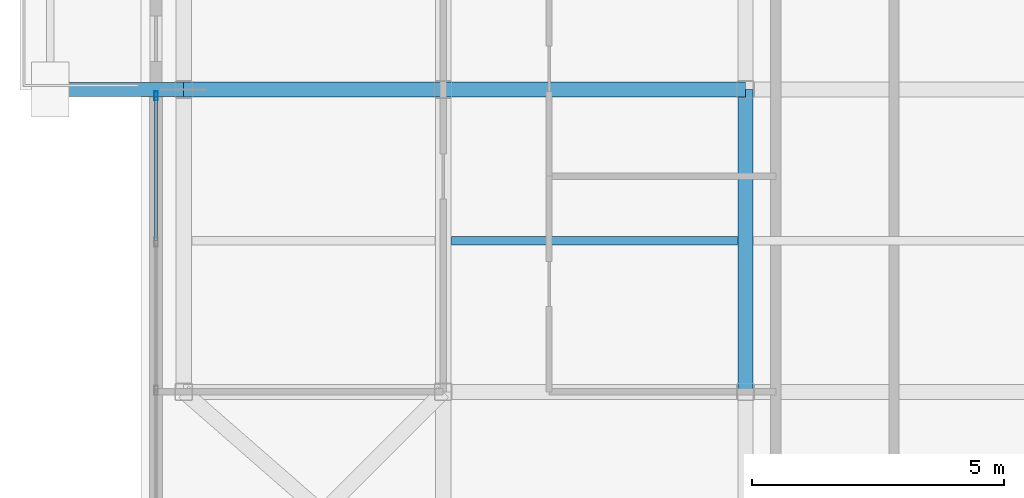
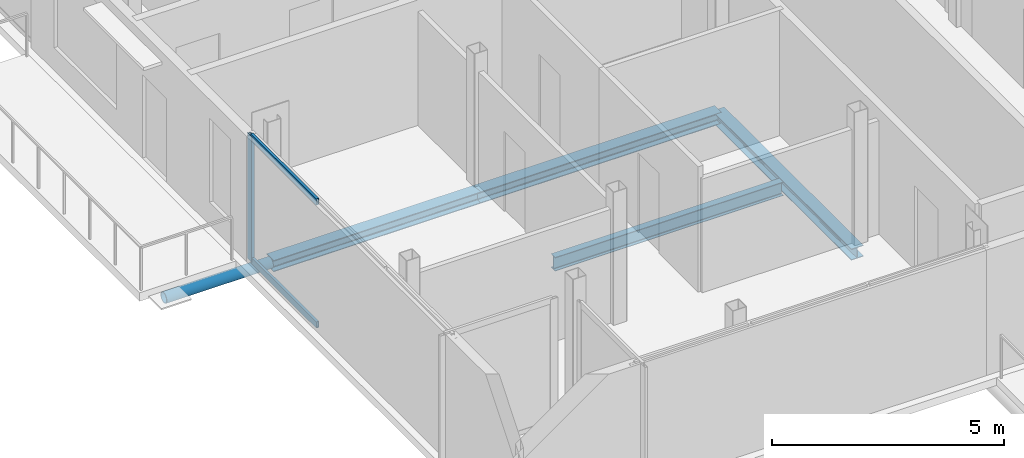
# One storey, part 3 of 19: 4 beams, 4 members, 1 element without a shape of its own.
"""IFC4 building model written with IfcOpenShell, lengths in metres."""

from ifc_helpers import new_model, si_unit, direction, frame, origin, origin_2d, place, context, subcontext, project, spatial, hollow_rectangle, hollow_circle, i_section, extrude, material, layer, layer_set, material_profile, profile_set, type_object, element, aggregate, save


model = new_model("IFC4")

# Units and contexts
model_context = context("Model", 3, precision=1e-05, world=origin(), true_north=direction((0.0, 1.0)))
body_context = subcontext(model_context, "Body", "Model", "MODEL_VIEW")
ifc_project = project(units=[si_unit("LENGTHUNIT", "METRE"), si_unit("AREAUNIT", "SQUARE_METRE"), si_unit("VOLUMEUNIT", "CUBIC_METRE"), si_unit("PLANEANGLEUNIT", "RADIAN"), si_unit("MASSUNIT", "GRAM", prefix="KILO"), si_unit("THERMODYNAMICTEMPERATUREUNIT", "KELVIN"), si_unit("POWERUNIT", "WATT")], contexts=[model_context])

# Site, building, storey
site_placement = place(None, origin())
site = spatial("IfcSite", under=ifc_project, at=site_placement, CompositionType="ELEMENT")
building_placement = place(site_placement, origin())
building = spatial("IfcBuilding", under=site, at=building_placement, Name="Svarakhadi Broadcast Tower", CompositionType="ELEMENT")
storey_placement = place(building_placement, frame((0.0, 0.0, 239.699951171875)))
storey = spatial("IfcBuildingStorey", under=building, at=storey_placement, Name="L59", CompositionType="ELEMENT", Elevation=239.699951171875)

# Beam
ifc_material_1 = material(Name="Steel S355J2 (IS 2062 E350C)", Category="steel")
ifc_material_profile_1 = material_profile(ifc_material_1, i_section(OverallWidth=0.169921875, OverallDepth=0.360107421875, WebThickness=0.008056640625, FlangeThickness=0.0126953125, FilletRadius=0.01806640625, at=origin_2d()), Name="NPB 360x170x57")
ifc_profile_set_1 = profile_set([ifc_material_profile_1], Name="Steel S355J2 (IS 2062 E350C)")
beam_type_1 = type_object("IfcBeamType", Name="Beam_NPB360", PredefinedType="BEAM", material=ifc_profile_set_1)
beam_1_placement = place(storey_placement, frame((6.159912109375, 9.0, -0.3798828125), z_axis=(1.0, 0.0, 0.0), x_axis=(0.0, 1.0, 0.0)))
element("IfcBeam", 1, at=beam_1_placement, inside=storey, type_object=beam_type_1, Name="L59 Secondary Composite Beam SB006", PredefinedType="BEAM", context=body_context, shape_type="SweptSolid", body=[
    extrude(i_section(OverallWidth=0.169921875, OverallDepth=0.360107421875, WebThickness=0.008056640625, FlangeThickness=0.0126953125, FilletRadius=0.01806640625, at=origin_2d()), origin(), (0.0, 0.0, 1.0), 5.68017578125),
])

# Curtain wall, members
ifc_material_2 = material(Name="Anodised Bronze Aluminium AA 6063-T6", Category="aluminium")
ifc_layer = layer(ifc_material_2, 0.179931640625)
ifc_layer_set = layer_set([ifc_layer], Name="Anodised Bronze Aluminium AA 6063-T6")
curtain_wall_type = type_object("IfcCurtainWallType", Name="CW_Sys_05", PredefinedType="NOTDEFINED", material=ifc_layer_set)
curtain_wall_placement = place(storey_placement, origin())
curtain_wall = element("IfcCurtainWall", 2, at=curtain_wall_placement, inside=storey, type_object=curtain_wall_type, Name="L59 West Curtain Wall 02", PredefinedType="NOTDEFINED")
ifc_material_profile_2 = material_profile(ifc_material_2, hollow_rectangle(XDim=0.070068359375, YDim=0.179931640625, WallThickness=0.005615234375, at=origin_2d()), Name="ALU MULLION 180x70x6")
ifc_profile_set_2 = profile_set([ifc_material_profile_2], Name="Anodised Bronze Aluminium AA 6063-T6")
member_type_1 = type_object("IfcMemberType", Name="CW_Sys_05_Mul", PredefinedType="MULLION", material=ifc_profile_set_2)
member_1_placement = place(storey_placement, frame((0.300048828125, 11.875, 0.0), z_axis=(0.0, 0.0, 1.0), x_axis=(-1.0, 0.0, 0.0)))
member_1 = element("IfcMember", 3, at=member_1_placement, type_object=member_type_1, Name="CW-05 mullion 4", PredefinedType="MULLION", context=body_context, shape_type="SweptSolid", body=[
    extrude(hollow_rectangle(XDim=0.070068359375, YDim=0.179931640625, WallThickness=0.005615234375, at=origin_2d()), origin(), (0.0, 0.0, 1.0), 3.300048828125),
])
ifc_material_profile_3 = material_profile(ifc_material_2, hollow_rectangle(XDim=0.06494140625, YDim=0.1650390625, WallThickness=0.0048828125, at=origin_2d()), Name="ALU TRANSOM 165x65x5")
ifc_profile_set_3 = profile_set([ifc_material_profile_3], Name="Anodised Bronze Aluminium AA 6063-T6")
member_type_2 = type_object("IfcMemberType", Name="CW_Sys_05_Trn", PredefinedType="USERDEFINED", material=ifc_profile_set_3)
member_2_placement = place(storey_placement, frame((0.300048828125, 9.0048828125, 0.032470703125), z_axis=(0.0, 1.0, 0.0), x_axis=(-1.0, 0.0, 0.0)))
member_2 = element("IfcMember", 4, at=member_2_placement, type_object=member_type_2, Name="CW-05 transom 3.1", ObjectType="TRANSOM", PredefinedType="USERDEFINED", context=body_context, shape_type="SweptSolid", body=[
    extrude(hollow_rectangle(XDim=0.06494140625, YDim=0.1650390625, WallThickness=0.0048828125, at=origin_2d()), origin(), (0.0, 0.0, 1.0), 2.835205078125),
])
member_3_placement = place(storey_placement, frame((0.300048828125, 9.0048828125, 3.267578125), z_axis=(0.0, 1.0, 0.0), x_axis=(-1.0, 0.0, 0.0)))
member_3 = element("IfcMember", 5, at=member_3_placement, type_object=member_type_2, Name="CW-05 transom 3.2", ObjectType="TRANSOM", PredefinedType="USERDEFINED", context=body_context, shape_type="SweptSolid", body=[
    extrude(hollow_rectangle(XDim=0.06494140625, YDim=0.1650390625, WallThickness=0.0048828125, at=origin_2d()), origin(), (0.0, 0.0, 1.0), 2.835205078125),
])
aggregate(curtain_wall, [member_1, member_2, member_3])

# Member
ifc_material_3 = material(Name="Steel S460ML (IS 2062 E450BR)", Category="steel")
ifc_material_profile_4 = material_profile(ifc_material_3, hollow_circle(Radius=0.136474609375, WallThickness=0.012451171875, at=origin_2d()), Name="CHS 273x12.5")
ifc_profile_set_4 = profile_set([ifc_material_profile_4], Name="Steel S460ML (IS 2062 E450BR)")
member_type_3 = type_object("IfcMemberType", Name="Exo_Radial_Strut_Z3", PredefinedType="STRUT", material=ifc_profile_set_4)
member_4_placement = place(storey_placement, frame((-1.800048828125, 12.0, -0.33642578125), z_axis=(1.0, 0.0, 0.0), x_axis=(0.0, 1.0, 0.0)))
element("IfcMember", 6, at=member_4_placement, inside=storey, type_object=member_type_3, Name="L59 Exoskeleton Radial Tie Strut W03", PredefinedType="STRUT", context=body_context, shape_type="SweptSolid", body=[
    extrude(hollow_circle(Radius=0.136474609375, WallThickness=0.012451171875, at=origin_2d()), origin(), (0.0, 0.0, 1.0), 2.650146484375),
])

# Beams
ifc_material_profile_5 = material_profile(ifc_material_1, i_section(OverallWidth=0.300048828125, OverallDepth=0.300048828125, WebThickness=0.010986328125, FlangeThickness=0.01904296875, FilletRadius=0.027099609375, at=origin_2d()), Name="WPB 300x300x117")
ifc_profile_set_5 = profile_set([ifc_material_profile_5], Name="Steel S355J2 (IS 2062 E350C)")
beam_type_2 = type_object("IfcBeamType", Name="Girder_WPB300", PredefinedType="USERDEFINED", material=ifc_profile_set_5)
beam_2_placement = place(storey_placement, frame((0.85009765625, 12.0, -0.349853515625), z_axis=(1.0, 0.0, 0.0), x_axis=(0.0, 1.0, 0.0)))
element("IfcBeam", 7, at=beam_2_placement, inside=storey, type_object=beam_type_2, Name="L59 Primary E-W Girder G014", ObjectType="GIRDER", PredefinedType="USERDEFINED", context=body_context, shape_type="SweptSolid", body=[
    extrude(i_section(OverallWidth=0.300048828125, OverallDepth=0.300048828125, WebThickness=0.010986328125, FlangeThickness=0.01904296875, FilletRadius=0.027099609375, at=origin_2d()), origin(), (0.0, 0.0, 1.0), 5.14990234375),
])
for number, where, z_axis, x_axis, name in (
    (8, (6.0, 12.0, -0.349853515625), (1.0, 0.0, 0.0), (0.0, 1.0, 0.0), "L59 Primary E-W Girder G015"),
    (9, (12.0, 6.0, -0.349853515625), (0.0, 1.0, 0.0), (-1.0, 0.0, 0.0), "L59 Primary N-S Girder G037"),
):
    element("IfcBeam", number, at=place(storey_placement, frame(where, z_axis=z_axis, x_axis=x_axis)), inside=storey, type_object=beam_type_2, Name=name, ObjectType="GIRDER", PredefinedType="USERDEFINED", context=body_context, shape_type="SweptSolid", body=[
        extrude(i_section(OverallWidth=0.300048828125, OverallDepth=0.300048828125, WebThickness=0.010986328125, FlangeThickness=0.01904296875, FilletRadius=0.027099609375, at=origin_2d()), origin(), (0.0, 0.0, 1.0), 6.0),
    ])

save(model, "model.ifc")
